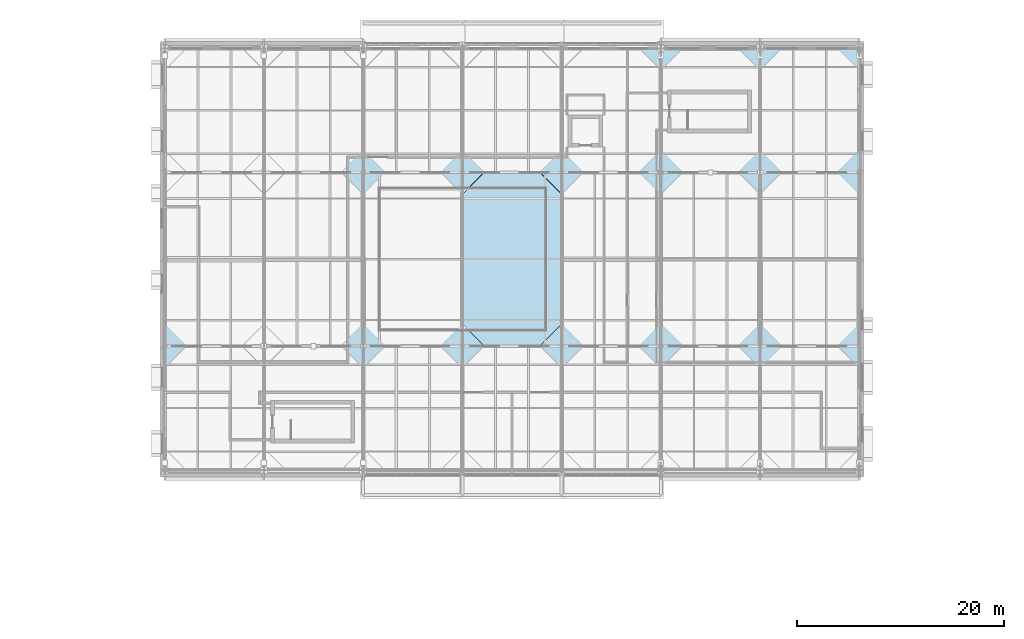
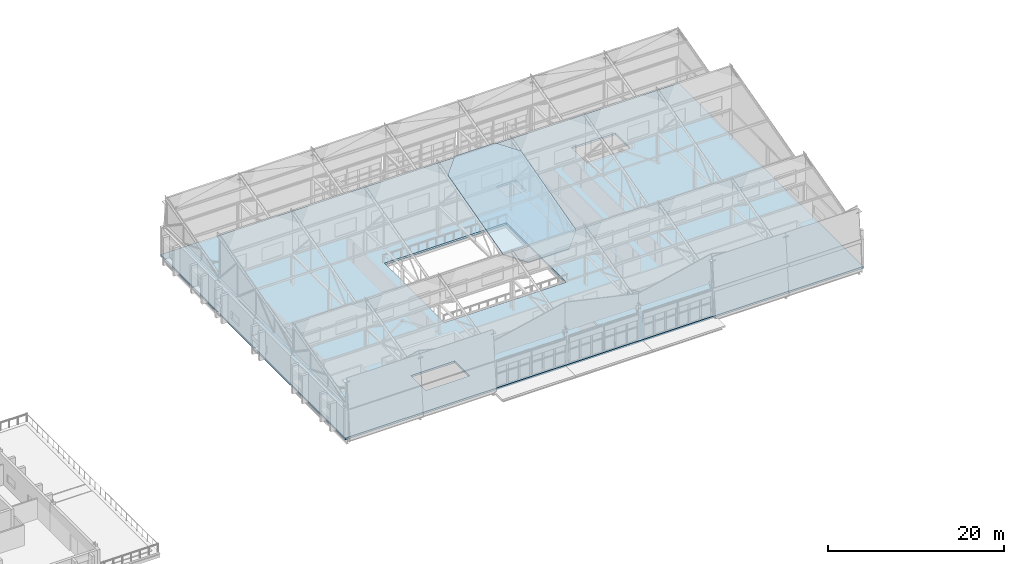
# One storey, part 61 of 89: 2 slabs, 1 element without a shape of its own.
"""IFC4 building model written with IfcOpenShell, lengths in metres."""

from ifc_helpers import new_model, si_unit, direction, frame, origin, place, context, subcontext, project, spatial, polyline, outline, extrude, material, layer, layer_set, type_object, element, aggregate, save


model = new_model("IFC4")

# Units and contexts
model_context = context("Model", 3, precision=1e-05, world=origin(), true_north=direction((0.0, 1.0)))
body_context = subcontext(model_context, "Body", "Model", "MODEL_VIEW")
ifc_project = project(units=[si_unit("LENGTHUNIT", "METRE"), si_unit("AREAUNIT", "SQUARE_METRE"), si_unit("VOLUMEUNIT", "CUBIC_METRE"), si_unit("PLANEANGLEUNIT", "RADIAN"), si_unit("MASSUNIT", "GRAM", prefix="KILO")], contexts=[model_context])

# Site, building, storey
site_placement = place(None, origin())
site = spatial("IfcSite", under=ifc_project, at=site_placement, CompositionType="ELEMENT")
building_placement = place(site_placement, origin())
building = spatial("IfcBuilding", under=site, at=building_placement, Name="Zereglee Splitstone Museum", CompositionType="ELEMENT")
storey_placement = place(building_placement, frame((0.0, 0.0, 21.300048828125)))
storey = spatial("IfcBuildingStorey", under=building, at=storey_placement, Name="L04", CompositionType="ELEMENT", Elevation=21.300048828125)

# Slab
ifc_material_1 = material(Name="Concrete C35/45", Category="concrete")
ifc_layer_1 = layer(ifc_material_1, 0.260009765625)
ifc_layer_set_1 = layer_set([ifc_layer_1], Name="Concrete C35/45")
slab_type_1 = type_object("IfcSlabType", Name="FS-05", PredefinedType="FLOOR", material=ifc_layer_set_1)
slab_1_placement = place(storey_placement, frame((0.0, 0.0, -0.260009765625)))
element("IfcSlab", 1, at=slab_1_placement, inside=storey, type_object=slab_type_1, Name="Gallery Floor Slab L04-V2", PredefinedType="FLOOR", context=body_context, shape_type="SweptSolid", body=[
    extrude(outline(polyline([(77.60009765625, 9.0), (145.60009765625, 9.0), (145.60009765625, 51.0), (77.60009765625, 51.0), (77.60009765625, 9.0)]), holes=[polyline([(98.800048828125, 23.199951171875), (114.800048828125, 23.199951171875), (114.800048828125, 36.800048828125), (98.800048828125, 36.800048828125), (98.800048828125, 23.199951171875)]), polyline([(128.654052734375, 42.60009765625), (134.39990234375, 42.60009765625), (134.39990234375, 46.0), (128.654052734375, 46.0), (128.654052734375, 42.60009765625)]), polyline([(90.25390625, 12.60009765625), (96.0, 12.60009765625), (96.0, 16.0), (90.25390625, 16.0), (90.25390625, 12.60009765625)]), polyline([(117.39990234375, 41.199951171875), (120.0, 41.199951171875), (120.0, 43.60009765625), (117.39990234375, 43.60009765625), (117.39990234375, 41.199951171875)])]), origin(), (0.0, 0.0, 1.0), 0.260009765625),
])

# Roof, slab
ifc_material_2 = material(Name="Standing-seam zinc roofing on Concrete C35/45", Category="concrete")
ifc_layer_2 = layer(ifc_material_2, 0.219970703125)
ifc_layer_set_2 = layer_set([ifc_layer_2], Name="Concrete C35/45")
roof_type = type_object("IfcRoofType", Name="RF-A1", PredefinedType="SHED_ROOF", material=ifc_layer_set_2)
roof_placement = place(storey_placement, origin())
roof = element("IfcRoof", 2, at=roof_placement, inside=storey, type_object=roof_type, Name="Seven-Bay North-Light Sawtooth Roof Assembly V2", PredefinedType="SHED_ROOF")
ifc_layer_3 = layer(ifc_material_1, 0.159912109375)
ifc_layer_set_3 = layer_set([ifc_layer_3], Name="Concrete C35/45")
slab_type_2 = type_object("IfcSlabType", Name="RS-06", PredefinedType="ROOF", material=ifc_layer_set_3)
slab_2_placement = place(storey_placement, frame((108.912109375, 21.60009765625, 5.800048828125), z_axis=(0.0, -0.258735788171, 0.965948131071), x_axis=(1.0, 0.0, 0.0)))
slab_2 = element("IfcSlab", 3, at=slab_2_placement, type_object=slab_type_2, Name="Sawtooth Roof Slab Bay 4 Shed 2", PredefinedType="ROOF", context=body_context, shape_type="SweptSolid", body=[
    extrude(outline(polyline([(0.0, 0.0), (5.3759765625, 0.0), (7.48779296875, 2.1862651745498627), (7.48779296875, 15.205722644550823), (5.3759765625, 17.392050987017722), (0.0, 17.392050987017722), (-2.112060546875, 15.205722644550823), (-2.112060546875, 2.1862651745498627), (0.0, 0.0)])), origin(), (0.0, 0.0, -1.0), 0.159912109375),
])
aggregate(roof, [slab_2])

save(model, "model.ifc")
